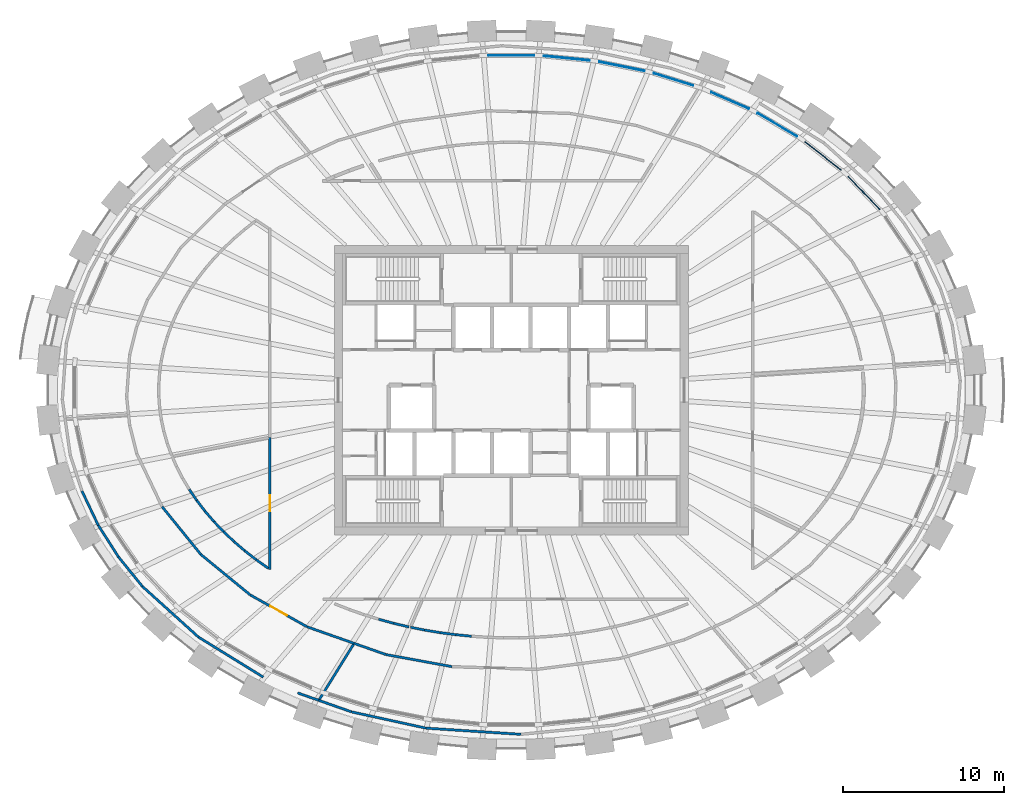
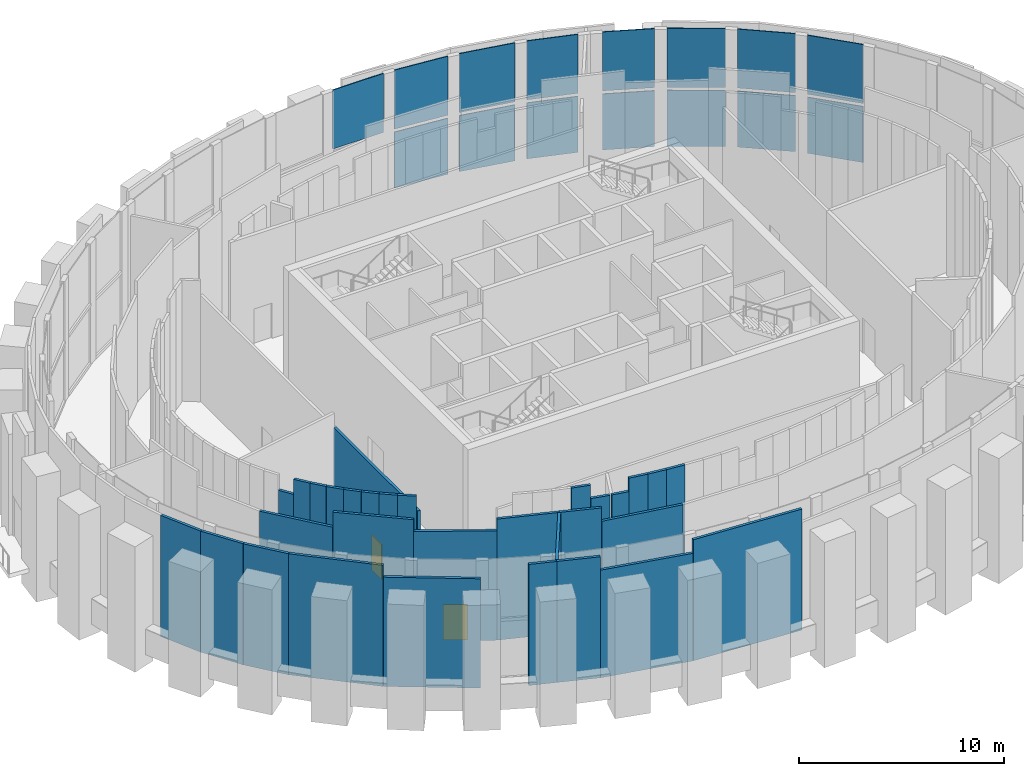
# One storey, part 7 of 16: 31 walls, 15 plates, 2 doors, 2 openings, 2 elements without a shape of their own.
"""IFC4 building model written with IfcOpenShell, lengths in metres."""

from ifc_helpers import new_model, si_unit, direction, frame, frame_2d, origin, origin_2d, place, context, subcontext, project, spatial, rectangle, extrude, source, transform, mapped, material, layer, layer_set, type_object, element, fill, aggregate, save


model = new_model("IFC4")

# Units and contexts
model_context = context("Model", 3, precision=1e-05, world=origin(), true_north=direction((0.0, 1.0)))
body_context = subcontext(model_context, "Body", "Model", "MODEL_VIEW")
ifc_project = project(units=[si_unit("LENGTHUNIT", "METRE"), si_unit("AREAUNIT", "SQUARE_METRE"), si_unit("VOLUMEUNIT", "CUBIC_METRE"), si_unit("PLANEANGLEUNIT", "RADIAN"), si_unit("MASSUNIT", "GRAM", prefix="KILO")], contexts=[model_context])

# Site, building, storey
site_placement = place(None, origin())
site = spatial("IfcSite", under=ifc_project, at=site_placement, CompositionType="ELEMENT")
building_placement = place(site_placement, origin())
building = spatial("IfcBuilding", under=site, at=building_placement, Name="Embergate Tower", CompositionType="ELEMENT")
storey_placement = place(building_placement, frame((0.0, 0.0, 332.5)))
storey = spatial("IfcBuildingStorey", under=building, at=storey_placement, Name="L78", CompositionType="ELEMENT", Elevation=332.5)

# Curtain wall, plates
ifc_material_1 = material(Name="Aluminium and glass", Category="aluminium")
curtain_wall_type = type_object("IfcCurtainWallType", Name="Observation glazing", PredefinedType="NOTDEFINED", material=ifc_material_1)
curtain_wall_1_placement = place(storey_placement, origin())
curtain_wall_1 = element("IfcCurtainWall", 1, at=curtain_wall_1_placement, inside=storey, type_object=curtain_wall_type, Name="Observation glazing run 1", ObjectType="OBSERVATION GLAZING", PredefinedType="USERDEFINED")
ifc_material_2 = material(Name="Triple glazing, low-emissivity coating", Category="glass")
ifc_layer_1 = layer(ifc_material_2, 0.050048828125)
ifc_layer_set_1 = layer_set([ifc_layer_1], Name="Triple glazing, low-emissivity coating")
plate_type = type_object("IfcPlateType", Name="Observation glazing unit", PredefinedType="CURTAIN_PANEL", material=ifc_layer_set_1)
shared_shape_1 = source(origin(), body_context, "Body", "SweptSolid", [
    extrude(rectangle(XDim=2.837158203125, YDim=0.050048828125, at=origin_2d()), origin(), (0.0, 0.0, 1.0), 3.330078125),
])
plate_1_placement = place(storey_placement, frame((21.919921875, 12.248291015625, 0.179931640625), z_axis=(0.0, 0.0, 1.0), x_axis=(-0.690142625854, 0.723673376586, 0.0)))
plate_1 = element("IfcPlate", 2, at=plate_1_placement, type_object=plate_type, Name="CW panel 4.1", PredefinedType="CURTAIN_PANEL", context=body_context, shape_type="MappedRepresentation", body=[
    mapped(shared_shape_1, transform((0.0, 0.0, 0.0))),
])
shared_shape_2 = source(origin(), body_context, "Body", "SweptSolid", [
    extrude(rectangle(XDim=2.837158203125, YDim=0.050048828125, at=origin_2d()), origin(), (0.0, 0.0, 1.0), 3.510009765625),
])
plate_2_placement = place(storey_placement, frame((21.919921875, 12.248291015625, 3.68994140625), z_axis=(0.0, 0.0, 1.0), x_axis=(-0.690142625854, 0.723673376586, 0.0)))
plate_2 = element("IfcPlate", 3, at=plate_2_placement, type_object=plate_type, Name="CW panel 4.2", PredefinedType="CURTAIN_PANEL", context=body_context, shape_type="MappedRepresentation", body=[
    mapped(shared_shape_2, transform((0.0, 0.0, 0.0))),
])
shared_shape_3 = source(origin(), body_context, "Body", "SweptSolid", [
    extrude(rectangle(XDim=2.844970703125, YDim=0.050048828125, at=origin_2d()), origin(), (0.0, 0.0, 1.0), 3.330078125),
])
plate_3_placement = place(storey_placement, frame((19.3759765625, 14.552001953125, 0.179931640625), z_axis=(0.0, 0.0, 1.0), x_axis=(-0.788325488427, 0.615258420744, 0.0)))
plate_3 = element("IfcPlate", 4, at=plate_3_placement, type_object=plate_type, Name="CW panel 5.1", PredefinedType="CURTAIN_PANEL", context=body_context, shape_type="MappedRepresentation", body=[
    mapped(shared_shape_3, transform((0.0, 0.0, 0.0))),
])
shared_shape_4 = source(origin(), body_context, "Body", "SweptSolid", [
    extrude(rectangle(XDim=2.844970703125, YDim=0.050048828125, at=origin_2d()), origin(), (0.0, 0.0, 1.0), 3.510009765625),
])
plate_4_placement = place(storey_placement, frame((19.3759765625, 14.552001953125, 3.68994140625), z_axis=(0.0, 0.0, 1.0), x_axis=(-0.788325488427, 0.615258420744, 0.0)))
plate_4 = element("IfcPlate", 5, at=plate_4_placement, type_object=plate_type, Name="CW panel 5.2", PredefinedType="CURTAIN_PANEL", context=body_context, shape_type="MappedRepresentation", body=[
    mapped(shared_shape_4, transform((0.0, 0.0, 0.0))),
])
shared_shape_5 = source(origin(), body_context, "Body", "SweptSolid", [
    extrude(rectangle(XDim=2.851318359375, YDim=0.050048828125, at=origin_2d()), origin(), (0.0, 0.0, 1.0), 3.330078125),
])
plate_5_placement = place(storey_placement, frame((16.530517578125, 16.486083984375, 0.179931640625), z_axis=(0.0, 0.0, 1.0), x_axis=(-0.862056706047, 0.506811834471, 0.0)))
plate_5 = element("IfcPlate", 6, at=plate_5_placement, type_object=plate_type, Name="CW panel 6.1", PredefinedType="CURTAIN_PANEL", context=body_context, shape_type="MappedRepresentation", body=[
    mapped(shared_shape_5, transform((0.0, 0.0, 0.0))),
])
shared_shape_6 = source(origin(), body_context, "Body", "SweptSolid", [
    extrude(rectangle(XDim=2.851318359375, YDim=0.050048828125, at=origin_2d()), origin(), (0.0, 0.0, 1.0), 3.510009765625),
])
plate_6_placement = place(storey_placement, frame((16.530517578125, 16.486083984375, 3.68994140625), z_axis=(0.0, 0.0, 1.0), x_axis=(-0.862056706047, 0.506811834471, 0.0)))
plate_6 = element("IfcPlate", 7, at=plate_6_placement, type_object=plate_type, Name="CW panel 6.2", PredefinedType="CURTAIN_PANEL", context=body_context, shape_type="MappedRepresentation", body=[
    mapped(shared_shape_6, transform((0.0, 0.0, 0.0))),
])
shared_shape_7 = source(origin(), body_context, "Body", "SweptSolid", [
    extrude(rectangle(XDim=2.55615234375, YDim=0.050048828125, at=origin_2d()), origin(), (0.0, 0.0, 1.0), 3.330078125),
])
plate_7_placement = place(storey_placement, frame((13.596923828125, 17.992919921875, 0.179931640625), z_axis=(0.0, 0.0, 1.0), x_axis=(-0.916238309467, 0.400633698365, 0.0)))
plate_7 = element("IfcPlate", 8, at=plate_7_placement, type_object=plate_type, Name="CW panel 7.1", PredefinedType="CURTAIN_PANEL", context=body_context, shape_type="MappedRepresentation", body=[
    mapped(shared_shape_7, transform((0.0, 0.0, 0.0))),
])
shared_shape_8 = source(origin(), body_context, "Body", "SweptSolid", [
    extrude(rectangle(XDim=2.55615234375, YDim=0.050048828125, at=origin_2d()), origin(), (0.0, 0.0, 1.0), 3.510009765625),
])
plate_8_placement = place(storey_placement, frame((13.596923828125, 17.992919921875, 3.68994140625), z_axis=(0.0, 0.0, 1.0), x_axis=(-0.916238309467, 0.400633698365, 0.0)))
plate_8 = element("IfcPlate", 9, at=plate_8_placement, type_object=plate_type, Name="CW panel 7.2", PredefinedType="CURTAIN_PANEL", context=body_context, shape_type="MappedRepresentation", body=[
    mapped(shared_shape_8, transform((0.0, 0.0, 0.0))),
])
aggregate(curtain_wall_1, [plate_1, plate_2, plate_3, plate_4, plate_5, plate_6, plate_7, plate_8])

curtain_wall_2_placement = place(storey_placement, origin())
curtain_wall_2 = element("IfcCurtainWall", 10, at=curtain_wall_2_placement, inside=storey, type_object=curtain_wall_type, Name="Observation glazing run 2", ObjectType="OBSERVATION GLAZING", PredefinedType="USERDEFINED")
shared_shape_9 = source(origin(), body_context, "Body", "SweptSolid", [
    extrude(rectangle(XDim=2.5595703125, YDim=0.050048828125, at=origin_2d()), origin(), (0.0, 0.0, 1.0), 3.330078125),
])
plate_9_placement = place(storey_placement, frame((10.08154296875, 19.304443359375, 0.179931640625), z_axis=(0.0, 0.0, 1.0), x_axis=(-0.954773255075, 0.29733488089, 0.0)))
plate_9 = element("IfcPlate", 11, at=plate_9_placement, type_object=plate_type, Name="CW panel 1.1", PredefinedType="CURTAIN_PANEL", context=body_context, shape_type="MappedRepresentation", body=[
    mapped(shared_shape_9, transform((0.0, 0.0, 0.0))),
])
shared_shape_10 = source(origin(), body_context, "Body", "SweptSolid", [
    extrude(rectangle(XDim=2.5595703125, YDim=0.050048828125, at=origin_2d()), origin(), (0.0, 0.0, 1.0), 3.510009765625),
])
plate_10_placement = place(storey_placement, frame((10.08154296875, 19.304443359375, 3.68994140625), z_axis=(0.0, 0.0, 1.0), x_axis=(-0.954773255075, 0.29733488089, 0.0)))
plate_10 = element("IfcPlate", 12, at=plate_10_placement, type_object=plate_type, Name="CW panel 1.2", PredefinedType="CURTAIN_PANEL", context=body_context, shape_type="MappedRepresentation", body=[
    mapped(shared_shape_10, transform((0.0, 0.0, 0.0))),
])
shared_shape_11 = source(origin(), body_context, "Body", "SweptSolid", [
    extrude(rectangle(XDim=2.862060546875, YDim=0.050048828125, at=origin_2d()), origin(), (0.0, 0.0, 1.0), 3.330078125),
])
plate_11_placement = place(storey_placement, frame((6.8759765625, 20.114501953125, 0.179931640625), z_axis=(0.0, 0.0, 1.0), x_axis=(-0.980476250608, 0.196637539636, 0.0)))
plate_11 = element("IfcPlate", 13, at=plate_11_placement, type_object=plate_type, Name="CW panel 2.1", PredefinedType="CURTAIN_PANEL", context=body_context, shape_type="MappedRepresentation", body=[
    mapped(shared_shape_11, transform((0.0, 0.0, 0.0))),
])
shared_shape_12 = source(origin(), body_context, "Body", "SweptSolid", [
    extrude(rectangle(XDim=2.862060546875, YDim=0.050048828125, at=origin_2d()), origin(), (0.0, 0.0, 1.0), 3.510009765625),
])
plate_12_placement = place(storey_placement, frame((6.8759765625, 20.114501953125, 3.68994140625), z_axis=(0.0, 0.0, 1.0), x_axis=(-0.980476250608, 0.196637539636, 0.0)))
plate_12 = element("IfcPlate", 14, at=plate_12_placement, type_object=plate_type, Name="CW panel 2.2", PredefinedType="CURTAIN_PANEL", context=body_context, shape_type="MappedRepresentation", body=[
    mapped(shared_shape_12, transform((0.0, 0.0, 0.0))),
])
shared_shape_13 = source(origin(), body_context, "Body", "SweptSolid", [
    extrude(rectangle(XDim=2.86328125, YDim=0.050048828125, at=origin_2d()), origin(), (0.0, 0.0, 1.0), 3.330078125),
])
plate_13_placement = place(storey_placement, frame((3.455322265625, 20.624267578125, 0.179931640625), z_axis=(0.0, 0.0, 1.0), x_axis=(-0.995203355531, 0.09782781373, 0.0)))
plate_13 = element("IfcPlate", 15, at=plate_13_placement, type_object=plate_type, Name="CW panel 3.1", PredefinedType="CURTAIN_PANEL", context=body_context, shape_type="MappedRepresentation", body=[
    mapped(shared_shape_13, transform((0.0, 0.0, 0.0))),
])
shared_shape_14 = source(origin(), body_context, "Body", "SweptSolid", [
    extrude(rectangle(XDim=2.86328125, YDim=0.050048828125, at=origin_2d()), origin(), (0.0, 0.0, 1.0), 3.510009765625),
])
plate_14_placement = place(storey_placement, frame((3.455322265625, 20.624267578125, 3.68994140625), z_axis=(0.0, 0.0, 1.0), x_axis=(-0.995203355531, 0.09782781373, 0.0)))
plate_14 = element("IfcPlate", 16, at=plate_14_placement, type_object=plate_type, Name="CW panel 3.2", PredefinedType="CURTAIN_PANEL", context=body_context, shape_type="MappedRepresentation", body=[
    mapped(shared_shape_14, transform((0.0, 0.0, 0.0))),
])
shared_shape_15 = source(origin(), body_context, "Body", "SweptSolid", [
    extrude(rectangle(XDim=2.86376953125, YDim=0.050048828125, at=origin_2d()), origin(), (0.0, 0.0, 1.0), 3.510009765625),
])
plate_15_placement = place(storey_placement, frame((0.0, 20.793701171875, 3.68994140625), z_axis=(0.0, 0.0, 1.0), x_axis=(-1.0, 0.0, 0.0)))
plate_15 = element("IfcPlate", 17, at=plate_15_placement, type_object=plate_type, Name="CW panel 4.2", PredefinedType="CURTAIN_PANEL", context=body_context, shape_type="MappedRepresentation", body=[
    mapped(shared_shape_15, transform((0.0, 0.0, 0.0))),
])
aggregate(curtain_wall_2, [plate_9, plate_10, plate_11, plate_12, plate_13, plate_14, plate_15])

# Walls
ifc_material_3 = material(Name="Plasterboard on steel stud", Category="steel")
ifc_layer_2 = layer(ifc_material_3, 0.14990234375)
ifc_layer_set_2 = layer_set([ifc_layer_2], Name="Plasterboard on steel stud")
wall_type = type_object("IfcWallType", Name="Partition wall 150 board", PredefinedType="PARTITIONING", material=ifc_layer_set_2)
shared_shape_16 = source(origin(), body_context, "Body", "SweptSolid", [
    extrude(rectangle(XDim=2.357666015625, YDim=0.14990234375, at=frame_2d((1.1787109375, 0.0))), origin(), (0.0, 0.0, 1.0), 7.199951171875),
])
wall_1_placement = place(storey_placement, frame((-25.666015625, -8.405029296875, 0.0), z_axis=(0.0, 0.0, 1.0), x_axis=(-0.430484206398, 0.902598109926, 0.0)))
element("IfcWall", 18, at=wall_1_placement, inside=storey, type_object=wall_type, Name="Partition 008", PredefinedType="PARTITIONING", context=body_context, shape_type="MappedRepresentation", body=[
    mapped(shared_shape_16, transform((0.0, 0.0, 0.0))),
])
shared_shape_17 = source(origin(), body_context, "Body", "SweptSolid", [
    extrude(rectangle(XDim=2.333984375, YDim=0.14990234375, at=frame_2d((1.1669921875, 0.0))), origin(), (0.0, 0.0, 1.0), 7.199951171875),
])
wall_2_placement = place(storey_placement, frame((-24.409912109375, -10.3720703125, 0.0), z_axis=(0.0, 0.0, 1.0), x_axis=(-0.538201487539, 0.842816207017, 0.0)))
element("IfcWall", 19, at=wall_2_placement, inside=storey, type_object=wall_type, Name="Partition 010", PredefinedType="PARTITIONING", context=body_context, shape_type="MappedRepresentation", body=[
    mapped(shared_shape_17, transform((0.0, 0.0, 0.0))),
])
shared_shape_18 = source(origin(), body_context, "Body", "SweptSolid", [
    extrude(rectangle(XDim=2.35107421875, YDim=0.14990234375, at=frame_2d((1.175537109375, 0.0))), origin(), (0.0, 0.0, 1.0), 7.199951171875),
])
wall_3_placement = place(storey_placement, frame((-22.928955078125, -12.197998046875, 0.0), z_axis=(0.0, 0.0, 1.0), x_axis=(-0.629923873592, 0.776656882722, 0.0)))
element("IfcWall", 20, at=wall_3_placement, inside=storey, type_object=wall_type, Name="Partition 019", PredefinedType="PARTITIONING", context=body_context, shape_type="MappedRepresentation", body=[
    mapped(shared_shape_18, transform((0.0, 0.0, 0.0))),
])
shared_shape_19 = source(origin(), body_context, "Body", "SweptSolid", [
    extrude(rectangle(XDim=0.826171875, YDim=0.14990234375, at=frame_2d((0.4130859375, 0.0))), origin(), (0.0, 0.0, 1.0), 6.300048828125),
])
wall_4_placement = place(storey_placement, frame((-20.012939453125, -6.173095703125, 0.0), z_axis=(0.0, 0.0, 1.0), x_axis=(0.562722230429, -0.826646049637, 0.0)))
element("IfcWall", 21, at=wall_4_placement, inside=storey, type_object=wall_type, Name="Partition 040", PredefinedType="PARTITIONING", context=body_context, shape_type="MappedRepresentation", body=[
    mapped(shared_shape_19, transform((0.0, 0.0, 0.0))),
])
shared_shape_20 = source(origin(), body_context, "Body", "SweptSolid", [
    extrude(rectangle(XDim=0.851806640625, YDim=0.14990234375, at=frame_2d((0.42578125, 0.0))), origin(), (0.0, 0.0, 1.0), 7.199951171875),
])
wall_5_placement = place(storey_placement, frame((-19.548095703125, -6.85595703125, 0.0), z_axis=(0.0, 0.0, 1.0), x_axis=(0.608269049701, -0.793730913582, 0.0)))
element("IfcWall", 22, at=wall_5_placement, inside=storey, type_object=wall_type, Name="Partition 042", PredefinedType="PARTITIONING", context=body_context, shape_type="MappedRepresentation", body=[
    mapped(shared_shape_20, transform((0.0, 0.0, 0.0))),
])
shared_shape_21 = source(origin(), body_context, "Body", "SweptSolid", [
    extrude(rectangle(XDim=4.706787109375, YDim=0.14990234375, at=frame_2d((2.353515625, 0.0))), origin(), (0.0, 0.0, 1.0), 7.199951171875),
])
wall_6_placement = place(storey_placement, frame((-19.43701171875, -15.35400390625, 0.0), z_axis=(0.0, 0.0, 1.0), x_axis=(-0.741892036038, 0.670519356069, 0.0)))
element("IfcWall", 23, at=wall_6_placement, inside=storey, type_object=wall_type, Name="Partition 044", PredefinedType="PARTITIONING", context=body_context, shape_type="MappedRepresentation", body=[
    mapped(shared_shape_21, transform((0.0, 0.0, 0.0))),
])
shared_shape_22 = source(origin(), body_context, "Body", "SweptSolid", [
    extrude(rectangle(XDim=3.820068359375, YDim=0.14990234375, at=frame_2d((1.91015625, 0.0))), origin(), (0.0, 0.0, 1.0), 6.300048828125),
])
wall_7_placement = place(storey_placement, frame((-19.29296875, -10.216064453125, 0.0), z_axis=(0.0, 0.0, 1.0), x_axis=(-0.629848855828, 0.776717721449, 0.0)))
element("IfcWall", 24, at=wall_7_placement, inside=storey, type_object=wall_type, Name="Partition 045", PredefinedType="PARTITIONING", context=body_context, shape_type="MappedRepresentation", body=[
    mapped(shared_shape_22, transform((0.0, 0.0, 0.0))),
])
shared_shape_23 = source(origin(), body_context, "Body", "SweptSolid", [
    extrude(rectangle(XDim=0.843994140625, YDim=0.14990234375, at=frame_2d((0.421875, 0.0))), origin(), (0.0, 0.0, 1.0), 7.199951171875),
])
wall_8_placement = place(storey_placement, frame((-19.030029296875, -7.531982421875, 0.0), z_axis=(0.0, 0.0, 1.0), x_axis=(0.651719945769, -0.758459697207, 0.0)))
element("IfcWall", 25, at=wall_8_placement, inside=storey, type_object=wall_type, Name="Partition 046", PredefinedType="PARTITIONING", context=body_context, shape_type="MappedRepresentation", body=[
    mapped(shared_shape_23, transform((0.0, 0.0, 0.0))),
])
shared_shape_24 = source(origin(), body_context, "Body", "SweptSolid", [
    extrude(rectangle(XDim=0.866455078125, YDim=0.14990234375, at=frame_2d((0.43310546875, 0.0))), origin(), (0.0, 0.0, 1.0), 7.199951171875),
])
wall_9_placement = place(storey_placement, frame((-18.47998046875, -8.172119140625, 0.0), z_axis=(0.0, 0.0, 1.0), x_axis=(0.690140553071, -0.723675353323, 0.0)))
element("IfcWall", 26, at=wall_9_placement, inside=storey, type_object=wall_type, Name="Partition 048", PredefinedType="PARTITIONING", context=body_context, shape_type="MappedRepresentation", body=[
    mapped(shared_shape_24, transform((0.0, 0.0, 0.0))),
])
shared_shape_25 = source(origin(), body_context, "Body", "SweptSolid", [
    extrude(rectangle(XDim=0.89208984375, YDim=0.14990234375, at=frame_2d((0.446044921875, 0.0))), origin(), (0.0, 0.0, 1.0), 7.199951171875),
])
wall_10_placement = place(storey_placement, frame((-17.882080078125, -8.799072265625, 0.0), z_axis=(0.0, 0.0, 1.0), x_axis=(0.726534873891, -0.687129592595, 0.0)))
element("IfcWall", 27, at=wall_10_placement, inside=storey, type_object=wall_type, Name="Partition 050", PredefinedType="PARTITIONING", context=body_context, shape_type="MappedRepresentation", body=[
    mapped(shared_shape_25, transform((0.0, 0.0, 0.0))),
])
shared_shape_26 = source(origin(), body_context, "Body", "SweptSolid", [
    extrude(rectangle(XDim=0.880615234375, YDim=0.14990234375, at=frame_2d((0.4404296875, 0.0))), origin(), (0.0, 0.0, 1.0), 7.199951171875),
])
wall_11_placement = place(storey_placement, frame((-17.23388671875, -9.412109375, 0.0), z_axis=(0.0, 0.0, 1.0), x_axis=(0.758453739474, -0.651726879205, 0.0)))
element("IfcWall", 28, at=wall_11_placement, inside=storey, type_object=wall_type, Name="Partition 053", PredefinedType="PARTITIONING", context=body_context, shape_type="MappedRepresentation", body=[
    mapped(shared_shape_26, transform((0.0, 0.0, 0.0))),
])
shared_shape_27 = source(origin(), body_context, "Body", "SweptSolid", [
    extrude(rectangle(XDim=0.90185546875, YDim=0.14990234375, at=frame_2d((0.450927734375, 0.0))), origin(), (0.0, 0.0, 1.0), 7.199951171875),
])
wall_12_placement = place(storey_placement, frame((-16.56591796875, -9.986083984375, 0.0), z_axis=(0.0, 0.0, 1.0), x_axis=(0.788286961013, -0.615307782412, 0.0)))
element("IfcWall", 29, at=wall_12_placement, inside=storey, type_object=wall_type, Name="Partition 055", PredefinedType="PARTITIONING", context=body_context, shape_type="MappedRepresentation", body=[
    mapped(shared_shape_27, transform((0.0, 0.0, 0.0))),
])
shared_shape_28 = source(origin(), body_context, "Body", "SweptSolid", [
    extrude(rectangle(XDim=3.969970703125, YDim=0.14990234375, at=frame_2d((1.98486328125, 0.0))), origin(), (0.0, 0.0, 1.0), 7.199951171875),
])
wall_13_placement = place(storey_placement, frame((-16.221923828125, -12.73193359375, 0.0), z_axis=(0.0, 0.0, 1.0), x_axis=(-0.773562598127, 0.633719896152, 0.0)))
element("IfcWall", 30, at=wall_13_placement, inside=storey, type_object=wall_type, Name="Partition 057", PredefinedType="PARTITIONING", context=body_context, shape_type="MappedRepresentation", body=[
    mapped(shared_shape_28, transform((0.0, 0.0, 0.0))),
])
shared_shape_29 = source(origin(), body_context, "Body", "SweptSolid", [
    extrude(rectangle(XDim=0.92431640625, YDim=0.14990234375, at=frame_2d((0.462158203125, 0.0))), origin(), (0.0, 0.0, 1.0), 7.199951171875),
])
wall_14_placement = place(storey_placement, frame((-15.85498046875, -10.541015625, 0.0), z_axis=(0.0, 0.0, 1.0), x_axis=(0.815567455773, -0.578662012823, 0.0)))
element("IfcWall", 31, at=wall_14_placement, inside=storey, type_object=wall_type, Name="Partition 058", PredefinedType="PARTITIONING", context=body_context, shape_type="MappedRepresentation", body=[
    mapped(shared_shape_29, transform((0.0, 0.0, 0.0))),
])
shared_shape_30 = source(origin(), body_context, "Body", "SweptSolid", [
    extrude(rectangle(XDim=4.7294921875, YDim=0.14990234375, at=frame_2d((2.36474609375, 0.0))), origin(), (0.0, 0.0, 1.0), 6.5),
])
wall_15_placement = place(storey_placement, frame((-15.4130859375, -17.839111328125, 0.0), z_axis=(0.0, 0.0, 1.0), x_axis=(-0.850822433328, 0.525453315668, 0.0)))
element("IfcWall", 32, at=wall_15_placement, inside=storey, type_object=wall_type, Name="Partition 061", PredefinedType="PARTITIONING", context=body_context, shape_type="MappedRepresentation", body=[
    mapped(shared_shape_30, transform((0.0, 0.0, 0.0))),
])

# Wall, opening, door
shared_shape_31 = source(origin(), body_context, "Body", "SweptSolid", [
    extrude(rectangle(XDim=8.203125, YDim=0.14990234375, at=frame_2d((4.1015625, 0.0))), origin(), (0.0, 0.0, 1.0), 6.300048828125),
])
wall_16_placement = place(storey_placement, frame((-15.0, -11.14111328125, 0.0), z_axis=(0.0, 0.0, 1.0), x_axis=(0.0, 1.0, 0.0)))
wall_16 = element("IfcWall", 33, at=wall_16_placement, inside=storey, type_object=wall_type, Name="Partition 062", PredefinedType="PARTITIONING", context=body_context, shape_type="MappedRepresentation", body=[
    mapped(shared_shape_31, transform((0.0, 0.0, 0.0))),
])
shared_shape_32 = source(origin(), body_context, "Body", "SweptSolid", [
    extrude(rectangle(XDim=1.0, YDim=2.10009765625, at=frame_2d((0.5, 1.050048828125))), frame((0.0, 0.0849609375, 0.0), z_axis=(0.0, -1.0, 0.0), x_axis=(1.0, 0.0, 0.0)), (0.0, 0.0, 1.0), 0.169921875),
])
opening_1_placement = place(wall_16_placement, frame((3.60107421875, 0.0, 0.0)))
opening_1 = element("IfcOpeningElement", 34, at=opening_1_placement, cuts=wall_16, Name="Opening DS-268", PredefinedType="OPENING", context=body_context, shape_type="MappedRepresentation", body=[
    mapped(shared_shape_32, transform((0.0, 0.0, 0.0))),
])
ifc_material_4 = material(Name="Timber door leaf, steel frame", Category="steel")
door_type_1 = type_object("IfcDoorType", Name="Single door 1000x2100", OperationType="SINGLE_SWING_LEFT", PredefinedType="DOOR", material=ifc_material_4)
shared_shape_33 = source(origin(), body_context, "Body", "SweptSolid", [
    extrude(rectangle(XDim=1.0, YDim=2.10009765625, at=frame_2d((0.5, 1.050048828125))), frame((0.0, 0.02490234375, 0.0), z_axis=(0.0, -1.0, 0.0), x_axis=(1.0, 0.0, 0.0)), (0.0, 0.0, 1.0), 0.050048828125),
])
door_1_placement = place(opening_1_placement, origin())
door_1 = element("IfcDoor", 35, at=door_1_placement, inside=storey, type_object=door_type_1, Name="Door to Staff room", OperationType="SINGLE_SWING_LEFT", OverallHeight=2.10009765625, OverallWidth=1.0, PredefinedType="DOOR", context=body_context, shape_type="MappedRepresentation", body=[
    mapped(shared_shape_33, transform((0.0, 0.0, 0.0))),
])
fill(opening_1, door_1)

shared_shape_34 = source(origin(), body_context, "Body", "SweptSolid", [
    extrude(rectangle(XDim=4.053955078125, YDim=0.14990234375, at=frame_2d((2.02685546875, 0.0))), origin(), (0.0, 0.0, 1.0), 6.5),
])
wall_17_placement = place(storey_placement, frame((-12.68603515625, -14.715087890625, 0.0), z_axis=(0.0, 0.0, 1.0), x_axis=(-0.87218440264, 0.489177235562, 0.0)))
wall_17 = element("IfcWall", 36, at=wall_17_placement, inside=storey, type_object=wall_type, Name="Partition 067", PredefinedType="PARTITIONING", context=body_context, shape_type="MappedRepresentation", body=[
    mapped(shared_shape_34, transform((0.0, 0.0, 0.0))),
])
shared_shape_35 = source(origin(), body_context, "Body", "SweptSolid", [
    extrude(rectangle(XDim=1.199951171875, YDim=2.10009765625, at=frame_2d((0.60009765625, 1.050048828125))), frame((0.0, 0.0849609375, 0.0), z_axis=(0.0, -1.0, 0.0), x_axis=(1.0, 0.0, 0.0)), (0.0, 0.0, 1.0), 0.169921875),
])
opening_2_placement = place(wall_17_placement, frame((1.427001953125, 0.0, 0.0)))
opening_2 = element("IfcOpeningElement", 37, at=opening_2_placement, cuts=wall_17, Name="Opening DS-261", PredefinedType="OPENING", context=body_context, shape_type="MappedRepresentation", body=[
    mapped(shared_shape_35, transform((0.0, 0.0, 0.0))),
])
door_type_2 = type_object("IfcDoorType", Name="Plant door 1200x2100", OperationType="SINGLE_SWING_LEFT", PredefinedType="DOOR", material=ifc_material_4)
shared_shape_36 = source(origin(), body_context, "Body", "SweptSolid", [
    extrude(rectangle(XDim=1.199951171875, YDim=2.10009765625, at=frame_2d((0.60009765625, 1.050048828125))), frame((0.0, 0.02490234375, 0.0), z_axis=(0.0, -1.0, 0.0), x_axis=(1.0, 0.0, 0.0)), (0.0, 0.0, 1.0), 0.050048828125),
])
door_2_placement = place(opening_2_placement, origin())
door_2 = element("IfcDoor", 38, at=door_2_placement, inside=storey, type_object=door_type_2, Name="Door to South-west viewing lounge", OperationType="SINGLE_SWING_LEFT", OverallHeight=2.10009765625, OverallWidth=1.199951171875, PredefinedType="DOOR", context=body_context, shape_type="MappedRepresentation", body=[
    mapped(shared_shape_36, transform((0.0, 0.0, 0.0))),
])
fill(opening_2, door_2)

# Walls
shared_shape_37 = source(origin(), body_context, "Body", "SweptSolid", [
    extrude(rectangle(XDim=1.392822265625, YDim=0.14990234375, at=frame_2d((0.6962890625, 0.0))), origin(), (0.0, 0.0, 1.0), 7.199951171875),
])
wall_18_placement = place(storey_placement, frame((-11.9619140625, -19.283935546875, 0.0), z_axis=(0.0, 0.0, 1.0), x_axis=(-0.943403823948, 0.331646234654, 0.0)))
element("IfcWall", 39, at=wall_18_placement, inside=storey, type_object=wall_type, Name="Partition 070", PredefinedType="PARTITIONING", context=body_context, shape_type="MappedRepresentation", body=[
    mapped(shared_shape_37, transform((0.0, 0.0, 0.0))),
])
shared_shape_38 = source(origin(), body_context, "Body", "SweptSolid", [
    extrude(rectangle(XDim=2.154052734375, YDim=0.14990234375, at=frame_2d((1.0771484375, 0.0))), origin(), (0.0, 0.0, 1.0), 7.199951171875),
])
wall_19_placement = place(storey_placement, frame((-9.929931640625, -19.9990234375, 0.0), z_axis=(0.0, 0.0, 1.0), x_axis=(-0.943293332831, 0.331960371484, 0.0)))
element("IfcWall", 40, at=wall_19_placement, inside=storey, type_object=wall_type, Name="Partition 078", PredefinedType="PARTITIONING", context=body_context, shape_type="MappedRepresentation", body=[
    mapped(shared_shape_38, transform((0.0, 0.0, 0.0))),
])
shared_shape_39 = source(origin(), body_context, "Body", "SweptSolid", [
    extrude(rectangle(XDim=3.0966796875, YDim=0.14990234375, at=frame_2d((1.54833984375, 0.0))), origin(), (0.0, 0.0, 1.0), 7.199951171875),
])
wall_20_placement = place(storey_placement, frame((-9.764892578125, -15.742919921875, 0.0), z_axis=(0.0, 0.0, 1.0), x_axis=(-0.943310105274, 0.33191270733, 0.0)))
element("IfcWall", 41, at=wall_20_placement, inside=storey, type_object=wall_type, Name="Partition 079", PredefinedType="PARTITIONING", context=body_context, shape_type="MappedRepresentation", body=[
    mapped(shared_shape_39, transform((0.0, 0.0, 0.0))),
])
shared_shape_40 = source(origin(), body_context, "Body", "SweptSolid", [
    extrude(rectangle(XDim=4.016357421875, YDim=0.14990234375, at=frame_2d((2.00830078125, 0.0))), origin(), (0.0, 0.0, 1.0), 7.199951171875),
])
wall_21_placement = place(storey_placement, frame((-9.804931640625, -15.806884765625, 0.0), z_axis=(0.0, 0.0, 1.0), x_axis=(-0.527132848475, -0.849782889954, 0.0)))
element("IfcWall", 42, at=wall_21_placement, inside=storey, type_object=wall_type, Name="Partition 080", PredefinedType="PARTITIONING", context=body_context, shape_type="MappedRepresentation", body=[
    mapped(shared_shape_40, transform((0.0, 0.0, 0.0))),
])
shared_shape_41 = source(origin(), body_context, "Body", "SweptSolid", [
    extrude(rectangle(XDim=0.979736328125, YDim=0.14990234375, at=frame_2d((0.48974609375, 0.0))), origin(), (0.0, 0.0, 1.0), 7.199951171875),
])
wall_22_placement = place(storey_placement, frame((-8.248046875, -14.239013671875, 0.0), z_axis=(0.0, 0.0, 1.0), x_axis=(0.964683262792, -0.263412608827, 0.0)))
element("IfcWall", 43, at=wall_22_placement, inside=storey, type_object=wall_type, Name="Partition 083", PredefinedType="PARTITIONING", context=body_context, shape_type="MappedRepresentation", body=[
    mapped(shared_shape_41, transform((0.0, 0.0, 0.0))),
])
shared_shape_42 = source(origin(), body_context, "Body", "SweptSolid", [
    extrude(rectangle(XDim=2.08740234375, YDim=0.14990234375, at=frame_2d((1.043701171875, 0.0))), origin(), (0.0, 0.0, 1.0), 7.199951171875),
])
wall_23_placement = place(storey_placement, frame((-7.7958984375, -16.43603515625, 0.0), z_axis=(0.0, 0.0, 1.0), x_axis=(-0.943264234437, 0.332043045451, 0.0)))
element("IfcWall", 44, at=wall_23_placement, inside=storey, type_object=wall_type, Name="Partition 086", PredefinedType="PARTITIONING", context=body_context, shape_type="MappedRepresentation", body=[
    mapped(shared_shape_42, transform((0.0, 0.0, 0.0))),
])
shared_shape_43 = source(origin(), body_context, "Body", "SweptSolid", [
    extrude(rectangle(XDim=0.97216796875, YDim=0.14990234375, at=frame_2d((0.486083984375, 0.0))), origin(), (0.0, 0.0, 1.0), 6.39990234375),
])
wall_24_placement = place(storey_placement, frame((-7.302978515625, -14.4970703125, 0.0), z_axis=(0.0, 0.0, 1.0), x_axis=(0.973123250608, -0.230284908595, 0.0)))
element("IfcWall", 45, at=wall_24_placement, inside=storey, type_object=wall_type, Name="Partition 087", PredefinedType="PARTITIONING", context=body_context, shape_type="MappedRepresentation", body=[
    mapped(shared_shape_43, transform((0.0, 0.0, 0.0))),
])
shared_shape_44 = source(origin(), body_context, "Body", "SweptSolid", [
    extrude(rectangle(XDim=0.880126953125, YDim=0.14990234375, at=frame_2d((0.43994140625, 0.0))), origin(), (0.0, 0.0, 1.0), 6.39990234375),
])
wall_25_placement = place(storey_placement, frame((-6.259033203125, -14.740966796875, 0.0), z_axis=(0.0, 0.0, 1.0), x_axis=(0.980687231379, -0.195582602015, 0.0)))
element("IfcWall", 46, at=wall_25_placement, inside=storey, type_object=wall_type, Name="Partition 092", PredefinedType="PARTITIONING", context=body_context, shape_type="MappedRepresentation", body=[
    mapped(shared_shape_44, transform((0.0, 0.0, 0.0))),
])
shared_shape_45 = source(origin(), body_context, "Body", "SweptSolid", [
    extrude(rectangle(XDim=0.986328125, YDim=0.14990234375, at=frame_2d((0.4931640625, 0.0))), origin(), (0.0, 0.0, 1.0), 7.199951171875),
])
wall_26_placement = place(storey_placement, frame((-5.39599609375, -14.9130859375, 0.0), z_axis=(0.0, 0.0, 1.0), x_axis=(0.986440715408, -0.164117991045, 0.0)))
element("IfcWall", 47, at=wall_26_placement, inside=storey, type_object=wall_type, Name="Partition 095", PredefinedType="PARTITIONING", context=body_context, shape_type="MappedRepresentation", body=[
    mapped(shared_shape_45, transform((0.0, 0.0, 0.0))),
])
shared_shape_46 = source(origin(), body_context, "Body", "SweptSolid", [
    extrude(rectangle(XDim=4.734130859375, YDim=0.14990234375, at=frame_2d((2.3671875, 0.0))), origin(), (0.0, 0.0, 1.0), 6.39990234375),
])
wall_27_placement = place(storey_placement, frame((-5.304931640625, -21.010009765625, 0.0), z_axis=(0.0, 0.0, 1.0), x_axis=(-0.976932303251, 0.213549232884, 0.0)))
element("IfcWall", 48, at=wall_27_placement, inside=storey, type_object=wall_type, Name="Partition 097", PredefinedType="PARTITIONING", context=body_context, shape_type="MappedRepresentation", body=[
    mapped(shared_shape_46, transform((0.0, 0.0, 0.0))),
])
shared_shape_47 = source(origin(), body_context, "Body", "SweptSolid", [
    extrude(rectangle(XDim=0.982421875, YDim=0.14990234375, at=frame_2d((0.4912109375, 0.0))), origin(), (0.0, 0.0, 1.0), 7.199951171875),
])
wall_28_placement = place(storey_placement, frame((-4.423095703125, -15.074951171875, 0.0), z_axis=(0.0, 0.0, 1.0), x_axis=(0.991486405438, -0.130210244724, 0.0)))
element("IfcWall", 49, at=wall_28_placement, inside=storey, type_object=wall_type, Name="Partition 098", PredefinedType="PARTITIONING", context=body_context, shape_type="MappedRepresentation", body=[
    mapped(shared_shape_47, transform((0.0, 0.0, 0.0))),
])
shared_shape_48 = source(origin(), body_context, "Body", "SweptSolid", [
    extrude(rectangle(XDim=4.186279296875, YDim=0.14990234375, at=frame_2d((2.09326171875, 0.0))), origin(), (0.0, 0.0, 1.0), 6.39990234375),
])
wall_29_placement = place(storey_placement, frame((-3.677978515625, -17.18994140625, 0.0), z_axis=(0.0, 0.0, 1.0), x_axis=(-0.983650834373, 0.180086190582, 0.0)))
element("IfcWall", 50, at=wall_29_placement, inside=storey, type_object=wall_type, Name="Partition 100", PredefinedType="PARTITIONING", context=body_context, shape_type="MappedRepresentation", body=[
    mapped(shared_shape_48, transform((0.0, 0.0, 0.0))),
])
shared_shape_49 = source(origin(), body_context, "Body", "SweptSolid", [
    extrude(rectangle(XDim=0.985595703125, YDim=0.14990234375, at=frame_2d((0.49267578125, 0.0))), origin(), (0.0, 0.0, 1.0), 7.199951171875),
])
wall_30_placement = place(storey_placement, frame((-3.448974609375, -15.202880859375, 0.0), z_axis=(0.0, 0.0, 1.0), x_axis=(0.995226638475, -0.097590665893, 0.0)))
element("IfcWall", 51, at=wall_30_placement, inside=storey, type_object=wall_type, Name="Partition 101", PredefinedType="PARTITIONING", context=body_context, shape_type="MappedRepresentation", body=[
    mapped(shared_shape_49, transform((0.0, 0.0, 0.0))),
])
shared_shape_50 = source(origin(), body_context, "Body", "SweptSolid", [
    extrude(rectangle(XDim=5.909423828125, YDim=0.14990234375, at=frame_2d((2.95458984375, 0.0))), origin(), (0.0, 0.0, 1.0), 7.199951171875),
])
wall_31_placement = place(storey_placement, frame((0.592041015625, -21.39501953125, 0.0), z_axis=(0.0, 0.0, 1.0), x_axis=(-0.997875437456, 0.065150681662, 0.0)))
element("IfcWall", 52, at=wall_31_placement, inside=storey, type_object=wall_type, Name="Partition 113", PredefinedType="PARTITIONING", context=body_context, shape_type="MappedRepresentation", body=[
    mapped(shared_shape_50, transform((0.0, 0.0, 0.0))),
])

save(model, "model.ifc")
